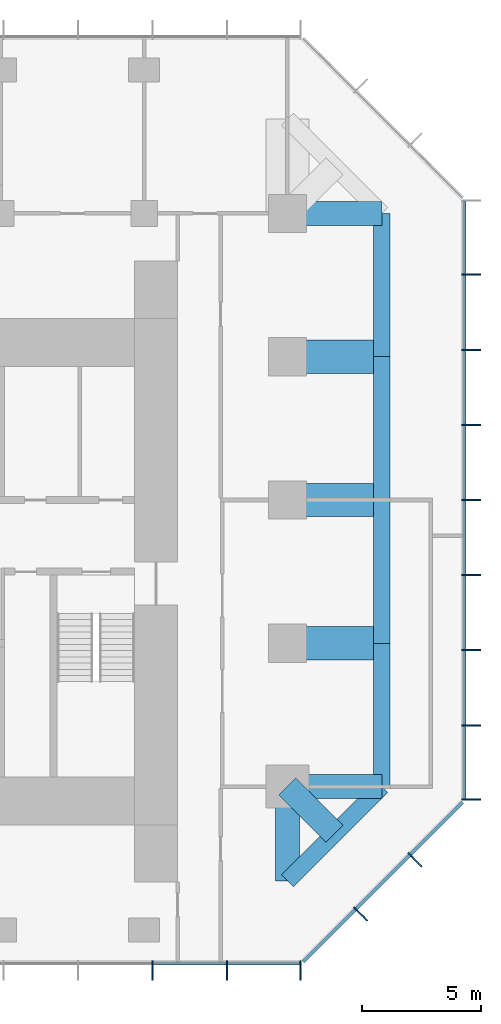
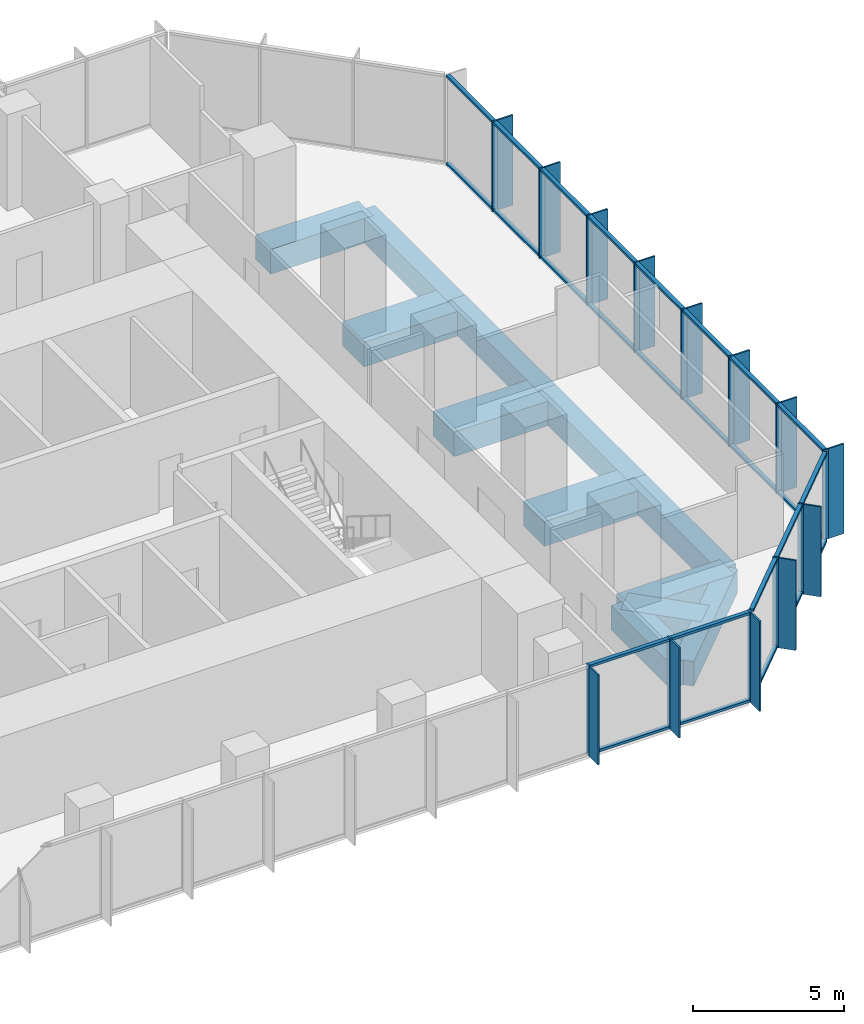
# One storey, part 4 of 10: 52 members, 12 beams, 3 elements without a shape of their own.
"""IFC4 building model written with IfcOpenShell, lengths in metres."""

from ifc_helpers import new_model, si_unit, direction, frame, origin, origin_2d, place, context, subcontext, project, spatial, rectangle, extrude, material, layer, layer_set, material_profile, profile_set, type_object, element, aggregate, save


model = new_model("IFC4")

# Units and contexts
model_context = context("Model", 3, precision=1e-05, world=origin(), true_north=direction((0.0, 1.0)))
body_context = subcontext(model_context, "Body", "Model", "MODEL_VIEW")
ifc_project = project(units=[si_unit("LENGTHUNIT", "METRE"), si_unit("AREAUNIT", "SQUARE_METRE"), si_unit("VOLUMEUNIT", "CUBIC_METRE"), si_unit("PLANEANGLEUNIT", "RADIAN"), si_unit("MASSUNIT", "GRAM", prefix="KILO")], contexts=[model_context])

# Site, building, storey
site_placement = place(None, origin())
site = spatial("IfcSite", under=ifc_project, at=site_placement, CompositionType="ELEMENT")
building_placement = place(site_placement, origin())
building = spatial("IfcBuilding", under=site, at=building_placement, Name="Highveld Stack Headquarters", CompositionType="ELEMENT")
storey_placement = place(building_placement, frame((0.0, 0.0, 245.0)))
storey = spatial("IfcBuildingStorey", under=building, at=storey_placement, Name="L60", CompositionType="ELEMENT", Elevation=245.0)

# Beams
ifc_material_1 = material(Name="Concrete C60/75", Category="concrete")
ifc_material_profile_1 = material_profile(ifc_material_1, rectangle(XDim=1.0, YDim=1.0, at=origin_2d()), Name="RC 1000x1000")
ifc_profile_set_1 = profile_set([ifc_material_profile_1], Name="Concrete C60/75")
beam_type_1 = type_object("IfcBeamType", Name="CANTILEVER RIB RC 1000x1000", PredefinedType="USERDEFINED", material=ifc_profile_set_1)
for number, where, z_axis, x_axis, name in (
    (1, (24.0, -6.0, -0.75), (1.0, 0.0, 0.0), (0.0, 1.0, 0.0), "Cantilever rib 10/D L60"),
    (2, (24.0, -6.0, -0.75), (0.0, -1.0, 0.0), (1.0, 0.0, 0.0), "Cantilever rib 10/D L60"),
):
    element("IfcBeam", number, at=place(storey_placement, frame(where, z_axis=z_axis, x_axis=x_axis)), inside=storey, type_object=beam_type_1, Name=name, ObjectType="CANTILEVER RIB", PredefinedType="USERDEFINED", context=body_context, shape_type="SweptSolid", body=[
        extrude(rectangle(XDim=1.0, YDim=1.0, at=origin_2d()), origin(), (0.0, 0.0, 1.0), 3.949951171875),
    ])
beam_1_placement = place(storey_placement, frame((24.0, -6.0, -0.75), z_axis=(0.707106781187, -0.707106781187, 0.0), x_axis=(0.707106781187, 0.707106781187, 0.0)))
element("IfcBeam", 3, at=beam_1_placement, inside=storey, type_object=beam_type_1, Name="Cantilever rib 10/D L60", ObjectType="CANTILEVER RIB", PredefinedType="USERDEFINED", context=body_context, shape_type="SweptSolid", body=[
    extrude(rectangle(XDim=1.0, YDim=1.0, at=origin_2d()), origin(), (0.0, 0.0, 1.0), 2.793212890625),
])
beam_2_placement = place(storey_placement, frame((24.0, 18.0, -0.75), z_axis=(1.0, 0.0, 0.0), x_axis=(0.0, 1.0, 0.0)))
element("IfcBeam", 4, at=beam_2_placement, inside=storey, type_object=beam_type_1, Name="Cantilever rib 10/H L60", ObjectType="CANTILEVER RIB", PredefinedType="USERDEFINED", context=body_context, shape_type="SweptSolid", body=[
    extrude(rectangle(XDim=1.0, YDim=1.0, at=origin_2d()), origin(), (0.0, 0.0, 1.0), 3.949951171875),
])
ifc_material_2 = material(Name="Concrete C60/75", Category="concrete")
ifc_material_profile_2 = material_profile(ifc_material_2, rectangle(XDim=1.39990234375, YDim=1.0, at=origin_2d()), Name="RC 1400x1000")
ifc_profile_set_2 = profile_set([ifc_material_profile_2], Name="Concrete C60/75")
beam_type_2 = type_object("IfcBeamType", Name="CANTILEVER RIB RC 1400x1000", PredefinedType="USERDEFINED", material=ifc_profile_set_2)
for number, where, z_axis, x_axis, name in (
    (5, (24.0, 0.0, -0.75), (1.0, 0.0, 0.0), (0.0, 1.0, 0.0), "Cantilever rib 10/E L60"),
    (6, (24.0, 6.0, -0.75), (1.0, 0.0, 0.0), (0.0, 1.0, 0.0), "Cantilever rib 10/F L60"),
    (7, (24.0, 12.0, -0.75), (1.0, 0.0, 0.0), (0.0, 1.0, 0.0), "Cantilever rib 10/G L60"),
):
    element("IfcBeam", number, at=place(storey_placement, frame(where, z_axis=z_axis, x_axis=x_axis)), inside=storey, type_object=beam_type_2, Name=name, ObjectType="CANTILEVER RIB", PredefinedType="USERDEFINED", context=body_context, shape_type="SweptSolid", body=[
        extrude(rectangle(XDim=1.39990234375, YDim=1.0, at=origin_2d()), origin(), (0.0, 0.0, 1.0), 3.949951171875),
    ])

# Curtain wall, members
ifc_material_3 = material(Name="Aluminium bronze anodised", Category="aluminium")
ifc_layer = layer(ifc_material_3, 0.199951171875)
ifc_layer_set = layer_set([ifc_layer], Name="Aluminium bronze anodised")
curtain_wall_type = type_object("IfcCurtainWallType", Name="CW6 SKY LOBBY UNITISED CURTAIN WALL", PredefinedType="NOTDEFINED", material=ifc_layer_set)
curtain_wall_1_placement = place(storey_placement, origin())
curtain_wall_1 = element("IfcCurtainWall", 8, at=curtain_wall_1_placement, inside=storey, type_object=curtain_wall_type, Name="Curtain wall CW6 L60 S", PredefinedType="NOTDEFINED")
ifc_material_4 = material(Name="Aluminium bronze anodised", Category="aluminium")
ifc_material_profile_3 = material_profile(ifc_material_4, rectangle(XDim=0.60009765625, YDim=0.06005859375, at=origin_2d()), Name="FIN 600x60")
ifc_profile_set_3 = profile_set([ifc_material_profile_3], Name="Aluminium bronze anodised")
member_type_1 = type_object("IfcMemberType", Name="CW6 BRONZE FIN 600x60", PredefinedType="USERDEFINED", material=ifc_profile_set_3)
member_1_placement = place(storey_placement, frame((18.347900390625, -13.800048828125, 0.0), z_axis=(0.0, 0.0, 1.0), x_axis=(0.0, 1.0, 0.0)))
member_1 = element("IfcMember", 9, at=member_1_placement, type_object=member_type_1, Name="CW6 fin L60 9", ObjectType="FIN", PredefinedType="USERDEFINED", context=body_context, shape_type="SweptSolid", body=[
    extrude(rectangle(XDim=0.60009765625, YDim=0.06005859375, at=origin_2d()), origin(), (0.0, 0.0, 1.0), 3.64990234375),
])
member_2_placement = place(storey_placement, frame((21.4638671875, -13.800048828125, 0.0), z_axis=(0.0, 0.0, 1.0), x_axis=(0.0, 1.0, 0.0)))
member_2 = element("IfcMember", 10, at=member_2_placement, type_object=member_type_1, Name="CW6 fin L60 10", ObjectType="FIN", PredefinedType="USERDEFINED", context=body_context, shape_type="SweptSolid", body=[
    extrude(rectangle(XDim=0.60009765625, YDim=0.06005859375, at=origin_2d()), origin(), (0.0, 0.0, 1.0), 3.64990234375),
])
member_3_placement = place(storey_placement, frame((24.54736328125, -13.800048828125, 0.0), z_axis=(0.0, 0.0, 1.0), x_axis=(0.0, 1.0, 0.0)))
member_3 = element("IfcMember", 11, at=member_3_placement, type_object=member_type_1, Name="CW6 fin L60 11", ObjectType="FIN", PredefinedType="USERDEFINED", context=body_context, shape_type="SweptSolid", body=[
    extrude(rectangle(XDim=0.60009765625, YDim=0.06005859375, at=origin_2d()), origin(), (0.0, 0.0, 1.0), 3.64990234375),
])

curtain_wall_2_placement = place(storey_placement, origin())
curtain_wall_2 = element("IfcCurtainWall", 12, at=curtain_wall_2_placement, inside=storey, type_object=curtain_wall_type, Name="Curtain wall CW6 L60 SE", PredefinedType="NOTDEFINED")
member_4_placement = place(storey_placement, frame((27.135986328125, -11.409423828125, 0.0), z_axis=(0.0, 0.0, 1.0), x_axis=(-0.707106781187, 0.707106781187, 0.0)))
member_4 = element("IfcMember", 13, at=member_4_placement, type_object=member_type_1, Name="CW6 fin L60 1", ObjectType="FIN", PredefinedType="USERDEFINED", context=body_context, shape_type="SweptSolid", body=[
    extrude(rectangle(XDim=0.60009765625, YDim=0.06005859375, at=origin_2d()), origin(), (0.0, 0.0, 1.0), 3.64990234375),
])
member_5_placement = place(storey_placement, frame((29.409423828125, -9.135986328125, 0.0), z_axis=(0.0, 0.0, 1.0), x_axis=(-0.707106781187, 0.707106781187, 0.0)))
member_5 = element("IfcMember", 14, at=member_5_placement, type_object=member_type_1, Name="CW6 fin L60 2", ObjectType="FIN", PredefinedType="USERDEFINED", context=body_context, shape_type="SweptSolid", body=[
    extrude(rectangle(XDim=0.60009765625, YDim=0.06005859375, at=origin_2d()), origin(), (0.0, 0.0, 1.0), 3.64990234375),
])

curtain_wall_3_placement = place(storey_placement, origin())
curtain_wall_3 = element("IfcCurtainWall", 15, at=curtain_wall_3_placement, inside=storey, type_object=curtain_wall_type, Name="Curtain wall CW6 L60 E", PredefinedType="NOTDEFINED")
member_6_placement = place(storey_placement, frame((31.800048828125, -6.54736328125, 0.0), z_axis=(0.0, 0.0, 1.0), x_axis=(-1.0, 0.0, 0.0)))
member_6 = element("IfcMember", 16, at=member_6_placement, type_object=member_type_1, Name="CW6 fin L60 1", ObjectType="FIN", PredefinedType="USERDEFINED", context=body_context, shape_type="SweptSolid", body=[
    extrude(rectangle(XDim=0.60009765625, YDim=0.06005859375, at=origin_2d()), origin(), (0.0, 0.0, 1.0), 3.64990234375),
])
member_7_placement = place(storey_placement, frame((31.800048828125, -3.434814453125, 0.0), z_axis=(0.0, 0.0, 1.0), x_axis=(-1.0, 0.0, 0.0)))
member_7 = element("IfcMember", 17, at=member_7_placement, type_object=member_type_1, Name="CW6 fin L60 2", ObjectType="FIN", PredefinedType="USERDEFINED", context=body_context, shape_type="SweptSolid", body=[
    extrude(rectangle(XDim=0.60009765625, YDim=0.06005859375, at=origin_2d()), origin(), (0.0, 0.0, 1.0), 3.64990234375),
])
member_8_placement = place(storey_placement, frame((31.800048828125, -0.2900390625, 0.0), z_axis=(0.0, 0.0, 1.0), x_axis=(-1.0, 0.0, 0.0)))
member_8 = element("IfcMember", 18, at=member_8_placement, type_object=member_type_1, Name="CW6 fin L60 3", ObjectType="FIN", PredefinedType="USERDEFINED", context=body_context, shape_type="SweptSolid", body=[
    extrude(rectangle(XDim=0.60009765625, YDim=0.06005859375, at=origin_2d()), origin(), (0.0, 0.0, 1.0), 3.64990234375),
])
member_9_placement = place(storey_placement, frame((31.800048828125, 2.85498046875, 0.0), z_axis=(0.0, 0.0, 1.0), x_axis=(-1.0, 0.0, 0.0)))
member_9 = element("IfcMember", 19, at=member_9_placement, type_object=member_type_1, Name="CW6 fin L60 4", ObjectType="FIN", PredefinedType="USERDEFINED", context=body_context, shape_type="SweptSolid", body=[
    extrude(rectangle(XDim=0.60009765625, YDim=0.06005859375, at=origin_2d()), origin(), (0.0, 0.0, 1.0), 3.64990234375),
])
member_10_placement = place(storey_placement, frame((31.800048828125, 6.0, 0.0), z_axis=(0.0, 0.0, 1.0), x_axis=(-1.0, 0.0, 0.0)))
member_10 = element("IfcMember", 20, at=member_10_placement, type_object=member_type_1, Name="CW6 fin L60 5", ObjectType="FIN", PredefinedType="USERDEFINED", context=body_context, shape_type="SweptSolid", body=[
    extrude(rectangle(XDim=0.60009765625, YDim=0.06005859375, at=origin_2d()), origin(), (0.0, 0.0, 1.0), 3.64990234375),
])
member_11_placement = place(storey_placement, frame((31.800048828125, 9.14501953125, 0.0), z_axis=(0.0, 0.0, 1.0), x_axis=(-1.0, 0.0, 0.0)))
member_11 = element("IfcMember", 21, at=member_11_placement, type_object=member_type_1, Name="CW6 fin L60 6", ObjectType="FIN", PredefinedType="USERDEFINED", context=body_context, shape_type="SweptSolid", body=[
    extrude(rectangle(XDim=0.60009765625, YDim=0.06005859375, at=origin_2d()), origin(), (0.0, 0.0, 1.0), 3.64990234375),
])
member_12_placement = place(storey_placement, frame((31.800048828125, 12.289794921875, 0.0), z_axis=(0.0, 0.0, 1.0), x_axis=(-1.0, 0.0, 0.0)))
member_12 = element("IfcMember", 22, at=member_12_placement, type_object=member_type_1, Name="CW6 fin L60 7", ObjectType="FIN", PredefinedType="USERDEFINED", context=body_context, shape_type="SweptSolid", body=[
    extrude(rectangle(XDim=0.60009765625, YDim=0.06005859375, at=origin_2d()), origin(), (0.0, 0.0, 1.0), 3.64990234375),
])
member_13_placement = place(storey_placement, frame((31.800048828125, 15.434814453125, 0.0), z_axis=(0.0, 0.0, 1.0), x_axis=(-1.0, 0.0, 0.0)))
member_13 = element("IfcMember", 23, at=member_13_placement, type_object=member_type_1, Name="CW6 fin L60 8", ObjectType="FIN", PredefinedType="USERDEFINED", context=body_context, shape_type="SweptSolid", body=[
    extrude(rectangle(XDim=0.60009765625, YDim=0.06005859375, at=origin_2d()), origin(), (0.0, 0.0, 1.0), 3.64990234375),
])

# Member
ifc_material_5 = material(Name="Aluminium bronze anodised", Category="aluminium")
ifc_material_profile_4 = material_profile(ifc_material_5, rectangle(XDim=0.199951171875, YDim=0.06494140625, at=origin_2d()), Name="CW6 MULLION 65x200")
ifc_profile_set_4 = profile_set([ifc_material_profile_4], Name="Aluminium bronze anodised")
member_type_2 = type_object("IfcMemberType", Name="CW6 MULLION 65x200", PredefinedType="MULLION", material=ifc_profile_set_4)
member_14_placement = place(storey_placement, frame((18.347900390625, -13.39990234375, 0.0), z_axis=(0.0, 0.0, 1.0), x_axis=(0.0, 1.0, 0.0)))
member_14 = element("IfcMember", 24, at=member_14_placement, type_object=member_type_2, Name="CW6 mullion L60 9", PredefinedType="MULLION", context=body_context, shape_type="SweptSolid", body=[
    extrude(rectangle(XDim=0.199951171875, YDim=0.06494140625, at=origin_2d()), origin(), (0.0, 0.0, 1.0), 3.64990234375),
])

member_15_placement = place(storey_placement, frame((21.4638671875, -13.39990234375, 0.0), z_axis=(0.0, 0.0, 1.0), x_axis=(0.0, 1.0, 0.0)))
member_15 = element("IfcMember", 25, at=member_15_placement, type_object=member_type_2, Name="CW6 mullion L60 10", PredefinedType="MULLION", context=body_context, shape_type="SweptSolid", body=[
    extrude(rectangle(XDim=0.199951171875, YDim=0.06494140625, at=origin_2d()), origin(), (0.0, 0.0, 1.0), 3.64990234375),
])

member_16_placement = place(storey_placement, frame((24.54736328125, -13.39990234375, 0.0), z_axis=(0.0, 0.0, 1.0), x_axis=(0.0, 1.0, 0.0)))
member_16 = element("IfcMember", 26, at=member_16_placement, type_object=member_type_2, Name="CW6 mullion L60 11", PredefinedType="MULLION", context=body_context, shape_type="SweptSolid", body=[
    extrude(rectangle(XDim=0.199951171875, YDim=0.06494140625, at=origin_2d()), origin(), (0.0, 0.0, 1.0), 3.64990234375),
])

member_17_placement = place(storey_placement, frame((26.853271484375, -11.126708984375, 0.0), z_axis=(0.0, 0.0, 1.0), x_axis=(-0.707106781187, 0.707106781187, 0.0)))
member_17 = element("IfcMember", 27, at=member_17_placement, type_object=member_type_2, Name="CW6 mullion L60 1", PredefinedType="MULLION", context=body_context, shape_type="SweptSolid", body=[
    extrude(rectangle(XDim=0.199951171875, YDim=0.06494140625, at=origin_2d()), origin(), (0.0, 0.0, 1.0), 3.64990234375),
])

member_18_placement = place(storey_placement, frame((29.126708984375, -8.853271484375, 0.0), z_axis=(0.0, 0.0, 1.0), x_axis=(-0.707106781187, 0.707106781187, 0.0)))
member_18 = element("IfcMember", 28, at=member_18_placement, type_object=member_type_2, Name="CW6 mullion L60 2", PredefinedType="MULLION", context=body_context, shape_type="SweptSolid", body=[
    extrude(rectangle(XDim=0.199951171875, YDim=0.06494140625, at=origin_2d()), origin(), (0.0, 0.0, 1.0), 3.64990234375),
])

member_19_placement = place(storey_placement, frame((31.39990234375, -6.54736328125, 0.0), z_axis=(0.0, 0.0, 1.0), x_axis=(-1.0, 0.0, 0.0)))
member_19 = element("IfcMember", 29, at=member_19_placement, type_object=member_type_2, Name="CW6 mullion L60 1", PredefinedType="MULLION", context=body_context, shape_type="SweptSolid", body=[
    extrude(rectangle(XDim=0.199951171875, YDim=0.06494140625, at=origin_2d()), origin(), (0.0, 0.0, 1.0), 3.64990234375),
])

member_20_placement = place(storey_placement, frame((31.39990234375, -3.434814453125, 0.0), z_axis=(0.0, 0.0, 1.0), x_axis=(-1.0, 0.0, 0.0)))
member_20 = element("IfcMember", 30, at=member_20_placement, type_object=member_type_2, Name="CW6 mullion L60 2", PredefinedType="MULLION", context=body_context, shape_type="SweptSolid", body=[
    extrude(rectangle(XDim=0.199951171875, YDim=0.06494140625, at=origin_2d()), origin(), (0.0, 0.0, 1.0), 3.64990234375),
])

member_21_placement = place(storey_placement, frame((31.39990234375, -0.2900390625, 0.0), z_axis=(0.0, 0.0, 1.0), x_axis=(-1.0, 0.0, 0.0)))
member_21 = element("IfcMember", 31, at=member_21_placement, type_object=member_type_2, Name="CW6 mullion L60 3", PredefinedType="MULLION", context=body_context, shape_type="SweptSolid", body=[
    extrude(rectangle(XDim=0.199951171875, YDim=0.06494140625, at=origin_2d()), origin(), (0.0, 0.0, 1.0), 3.64990234375),
])

member_22_placement = place(storey_placement, frame((31.39990234375, 2.85498046875, 0.0), z_axis=(0.0, 0.0, 1.0), x_axis=(-1.0, 0.0, 0.0)))
member_22 = element("IfcMember", 32, at=member_22_placement, type_object=member_type_2, Name="CW6 mullion L60 4", PredefinedType="MULLION", context=body_context, shape_type="SweptSolid", body=[
    extrude(rectangle(XDim=0.199951171875, YDim=0.06494140625, at=origin_2d()), origin(), (0.0, 0.0, 1.0), 3.64990234375),
])

member_23_placement = place(storey_placement, frame((31.39990234375, 6.0, 0.0), z_axis=(0.0, 0.0, 1.0), x_axis=(-1.0, 0.0, 0.0)))
member_23 = element("IfcMember", 33, at=member_23_placement, type_object=member_type_2, Name="CW6 mullion L60 5", PredefinedType="MULLION", context=body_context, shape_type="SweptSolid", body=[
    extrude(rectangle(XDim=0.199951171875, YDim=0.06494140625, at=origin_2d()), origin(), (0.0, 0.0, 1.0), 3.64990234375),
])

member_24_placement = place(storey_placement, frame((31.39990234375, 9.14501953125, 0.0), z_axis=(0.0, 0.0, 1.0), x_axis=(-1.0, 0.0, 0.0)))
member_24 = element("IfcMember", 34, at=member_24_placement, type_object=member_type_2, Name="CW6 mullion L60 6", PredefinedType="MULLION", context=body_context, shape_type="SweptSolid", body=[
    extrude(rectangle(XDim=0.199951171875, YDim=0.06494140625, at=origin_2d()), origin(), (0.0, 0.0, 1.0), 3.64990234375),
])

member_25_placement = place(storey_placement, frame((31.39990234375, 12.289794921875, 0.0), z_axis=(0.0, 0.0, 1.0), x_axis=(-1.0, 0.0, 0.0)))
member_25 = element("IfcMember", 35, at=member_25_placement, type_object=member_type_2, Name="CW6 mullion L60 7", PredefinedType="MULLION", context=body_context, shape_type="SweptSolid", body=[
    extrude(rectangle(XDim=0.199951171875, YDim=0.06494140625, at=origin_2d()), origin(), (0.0, 0.0, 1.0), 3.64990234375),
])

member_26_placement = place(storey_placement, frame((31.39990234375, 15.434814453125, 0.0), z_axis=(0.0, 0.0, 1.0), x_axis=(-1.0, 0.0, 0.0)))
member_26 = element("IfcMember", 36, at=member_26_placement, type_object=member_type_2, Name="CW6 mullion L60 8", PredefinedType="MULLION", context=body_context, shape_type="SweptSolid", body=[
    extrude(rectangle(XDim=0.199951171875, YDim=0.06494140625, at=origin_2d()), origin(), (0.0, 0.0, 1.0), 3.64990234375),
])

ifc_material_6 = material(Name="Aluminium bronze anodised", Category="aluminium")
ifc_material_profile_5 = material_profile(ifc_material_6, rectangle(XDim=0.14990234375, YDim=0.10009765625, at=origin_2d()), Name="CW6 TRANSOM 150x100")
ifc_profile_set_5 = profile_set([ifc_material_profile_5], Name="Aluminium bronze anodised")
member_type_3 = type_object("IfcMemberType", Name="CW6 STACK TRANSOM 150x100", PredefinedType="USERDEFINED", material=ifc_profile_set_5)
member_27_placement = place(storey_placement, frame((18.38037109375, -13.39990234375, 0.050048828125), z_axis=(1.0, 0.0, 0.0), x_axis=(0.0, 1.0, 0.0)))
member_27 = element("IfcMember", 37, at=member_27_placement, type_object=member_type_3, Name="CW6 transom L60 9.1", ObjectType="TRANSOM", PredefinedType="USERDEFINED", context=body_context, shape_type="SweptSolid", body=[
    extrude(rectangle(XDim=0.14990234375, YDim=0.10009765625, at=origin_2d()), origin(), (0.0, 0.0, 1.0), 3.051025390625),
])

member_28_placement = place(storey_placement, frame((18.38037109375, -13.39990234375, 3.60009765625), z_axis=(1.0, 0.0, 0.0), x_axis=(0.0, 1.0, 0.0)))
member_28 = element("IfcMember", 38, at=member_28_placement, type_object=member_type_3, Name="CW6 transom L60 9.2", ObjectType="TRANSOM", PredefinedType="USERDEFINED", context=body_context, shape_type="SweptSolid", body=[
    extrude(rectangle(XDim=0.14990234375, YDim=0.10009765625, at=origin_2d()), origin(), (0.0, 0.0, 1.0), 3.051025390625),
])

member_29_placement = place(storey_placement, frame((21.496337890625, -13.39990234375, 0.050048828125), z_axis=(1.0, 0.0, 0.0), x_axis=(0.0, 1.0, 0.0)))
member_29 = element("IfcMember", 39, at=member_29_placement, type_object=member_type_3, Name="CW6 transom L60 10.1", ObjectType="TRANSOM", PredefinedType="USERDEFINED", context=body_context, shape_type="SweptSolid", body=[
    extrude(rectangle(XDim=0.14990234375, YDim=0.10009765625, at=origin_2d()), origin(), (0.0, 0.0, 1.0), 3.0185546875),
])

member_30_placement = place(storey_placement, frame((21.496337890625, -13.39990234375, 3.60009765625), z_axis=(1.0, 0.0, 0.0), x_axis=(0.0, 1.0, 0.0)))
member_30 = element("IfcMember", 40, at=member_30_placement, type_object=member_type_3, Name="CW6 transom L60 10.2", ObjectType="TRANSOM", PredefinedType="USERDEFINED", context=body_context, shape_type="SweptSolid", body=[
    extrude(rectangle(XDim=0.14990234375, YDim=0.10009765625, at=origin_2d()), origin(), (0.0, 0.0, 1.0), 3.0185546875),
])

aggregate(curtain_wall_1, [member_14, member_1, member_15, member_2, member_16, member_3, member_27, member_28, member_29, member_30])

member_31_placement = place(storey_placement, frame((24.650634765625, -13.329345703125, 0.050048828125), z_axis=(0.707106781187, 0.707106781187, 0.0), x_axis=(-0.707106781187, 0.707106781187, 0.0)))
member_31 = element("IfcMember", 41, at=member_31_placement, type_object=member_type_3, Name="CW6 transom L60 1.1", ObjectType="TRANSOM", PredefinedType="USERDEFINED", context=body_context, shape_type="SweptSolid", body=[
    extrude(rectangle(XDim=0.14990234375, YDim=0.10009765625, at=origin_2d()), origin(), (0.0, 0.0, 1.0), 3.08251953125),
])

member_32_placement = place(storey_placement, frame((24.650634765625, -13.329345703125, 3.60009765625), z_axis=(0.707106781187, 0.707106781187, 0.0), x_axis=(-0.707106781187, 0.707106781187, 0.0)))
member_32 = element("IfcMember", 42, at=member_32_placement, type_object=member_type_3, Name="CW6 transom L60 1.2", ObjectType="TRANSOM", PredefinedType="USERDEFINED", context=body_context, shape_type="SweptSolid", body=[
    extrude(rectangle(XDim=0.14990234375, YDim=0.10009765625, at=origin_2d()), origin(), (0.0, 0.0, 1.0), 3.08251953125),
])

member_33_placement = place(storey_placement, frame((26.876220703125, -11.103759765625, 0.050048828125), z_axis=(0.707106781187, 0.707106781187, 0.0), x_axis=(-0.707106781187, 0.707106781187, 0.0)))
member_33 = element("IfcMember", 43, at=member_33_placement, type_object=member_type_3, Name="CW6 transom L60 2.1", ObjectType="TRANSOM", PredefinedType="USERDEFINED", context=body_context, shape_type="SweptSolid", body=[
    extrude(rectangle(XDim=0.14990234375, YDim=0.10009765625, at=origin_2d()), origin(), (0.0, 0.0, 1.0), 3.150146484375),
])

member_34_placement = place(storey_placement, frame((26.876220703125, -11.103759765625, 3.60009765625), z_axis=(0.707106781187, 0.707106781187, 0.0), x_axis=(-0.707106781187, 0.707106781187, 0.0)))
member_34 = element("IfcMember", 44, at=member_34_placement, type_object=member_type_3, Name="CW6 transom L60 2.2", ObjectType="TRANSOM", PredefinedType="USERDEFINED", context=body_context, shape_type="SweptSolid", body=[
    extrude(rectangle(XDim=0.14990234375, YDim=0.10009765625, at=origin_2d()), origin(), (0.0, 0.0, 1.0), 3.150146484375),
])

member_35_placement = place(storey_placement, frame((29.149658203125, -8.830322265625, 0.050048828125), z_axis=(0.707106781187, 0.707106781187, 0.0), x_axis=(-0.707106781187, 0.707106781187, 0.0)))
member_35 = element("IfcMember", 45, at=member_35_placement, type_object=member_type_3, Name="CW6 transom L60 3.1", ObjectType="TRANSOM", PredefinedType="USERDEFINED", context=body_context, shape_type="SweptSolid", body=[
    extrude(rectangle(XDim=0.14990234375, YDim=0.10009765625, at=origin_2d()), origin(), (0.0, 0.0, 1.0), 3.08251953125),
])

member_36_placement = place(storey_placement, frame((29.149658203125, -8.830322265625, 3.60009765625), z_axis=(0.707106781187, 0.707106781187, 0.0), x_axis=(-0.707106781187, 0.707106781187, 0.0)))
member_36 = element("IfcMember", 46, at=member_36_placement, type_object=member_type_3, Name="CW6 transom L60 3.2", ObjectType="TRANSOM", PredefinedType="USERDEFINED", context=body_context, shape_type="SweptSolid", body=[
    extrude(rectangle(XDim=0.14990234375, YDim=0.10009765625, at=origin_2d()), origin(), (0.0, 0.0, 1.0), 3.08251953125),
])

aggregate(curtain_wall_2, [member_17, member_4, member_18, member_5, member_31, member_32, member_33, member_34, member_35, member_36])

member_37_placement = place(storey_placement, frame((31.39990234375, -6.514892578125, 0.050048828125), z_axis=(0.0, 1.0, 0.0), x_axis=(-1.0, 0.0, 0.0)))
member_37 = element("IfcMember", 47, at=member_37_placement, type_object=member_type_3, Name="CW6 transom L60 1.1", ObjectType="TRANSOM", PredefinedType="USERDEFINED", context=body_context, shape_type="SweptSolid", body=[
    extrude(rectangle(XDim=0.14990234375, YDim=0.10009765625, at=origin_2d()), origin(), (0.0, 0.0, 1.0), 3.047607421875),
])

member_38_placement = place(storey_placement, frame((31.39990234375, -6.514892578125, 3.60009765625), z_axis=(0.0, 1.0, 0.0), x_axis=(-1.0, 0.0, 0.0)))
member_38 = element("IfcMember", 48, at=member_38_placement, type_object=member_type_3, Name="CW6 transom L60 1.2", ObjectType="TRANSOM", PredefinedType="USERDEFINED", context=body_context, shape_type="SweptSolid", body=[
    extrude(rectangle(XDim=0.14990234375, YDim=0.10009765625, at=origin_2d()), origin(), (0.0, 0.0, 1.0), 3.047607421875),
])

member_39_placement = place(storey_placement, frame((31.39990234375, -3.40234375, 0.050048828125), z_axis=(0.0, 1.0, 0.0), x_axis=(-1.0, 0.0, 0.0)))
member_39 = element("IfcMember", 49, at=member_39_placement, type_object=member_type_3, Name="CW6 transom L60 2.1", ObjectType="TRANSOM", PredefinedType="USERDEFINED", context=body_context, shape_type="SweptSolid", body=[
    extrude(rectangle(XDim=0.14990234375, YDim=0.10009765625, at=origin_2d()), origin(), (0.0, 0.0, 1.0), 3.079833984375),
])

member_40_placement = place(storey_placement, frame((31.39990234375, -3.40234375, 3.60009765625), z_axis=(0.0, 1.0, 0.0), x_axis=(-1.0, 0.0, 0.0)))
member_40 = element("IfcMember", 50, at=member_40_placement, type_object=member_type_3, Name="CW6 transom L60 2.2", ObjectType="TRANSOM", PredefinedType="USERDEFINED", context=body_context, shape_type="SweptSolid", body=[
    extrude(rectangle(XDim=0.14990234375, YDim=0.10009765625, at=origin_2d()), origin(), (0.0, 0.0, 1.0), 3.079833984375),
])

member_41_placement = place(storey_placement, frame((31.39990234375, -0.257568359375, 0.050048828125), z_axis=(0.0, 1.0, 0.0), x_axis=(-1.0, 0.0, 0.0)))
member_41 = element("IfcMember", 51, at=member_41_placement, type_object=member_type_3, Name="CW6 transom L60 3.1", ObjectType="TRANSOM", PredefinedType="USERDEFINED", context=body_context, shape_type="SweptSolid", body=[
    extrude(rectangle(XDim=0.14990234375, YDim=0.10009765625, at=origin_2d()), origin(), (0.0, 0.0, 1.0), 3.080078125),
])

member_42_placement = place(storey_placement, frame((31.39990234375, -0.257568359375, 3.60009765625), z_axis=(0.0, 1.0, 0.0), x_axis=(-1.0, 0.0, 0.0)))
member_42 = element("IfcMember", 52, at=member_42_placement, type_object=member_type_3, Name="CW6 transom L60 3.2", ObjectType="TRANSOM", PredefinedType="USERDEFINED", context=body_context, shape_type="SweptSolid", body=[
    extrude(rectangle(XDim=0.14990234375, YDim=0.10009765625, at=origin_2d()), origin(), (0.0, 0.0, 1.0), 3.080078125),
])

member_43_placement = place(storey_placement, frame((31.39990234375, 2.887451171875, 0.050048828125), z_axis=(0.0, 1.0, 0.0), x_axis=(-1.0, 0.0, 0.0)))
member_43 = element("IfcMember", 53, at=member_43_placement, type_object=member_type_3, Name="CW6 transom L60 4.1", ObjectType="TRANSOM", PredefinedType="USERDEFINED", context=body_context, shape_type="SweptSolid", body=[
    extrude(rectangle(XDim=0.14990234375, YDim=0.10009765625, at=origin_2d()), origin(), (0.0, 0.0, 1.0), 3.080078125),
])

member_44_placement = place(storey_placement, frame((31.39990234375, 2.887451171875, 3.60009765625), z_axis=(0.0, 1.0, 0.0), x_axis=(-1.0, 0.0, 0.0)))
member_44 = element("IfcMember", 54, at=member_44_placement, type_object=member_type_3, Name="CW6 transom L60 4.2", ObjectType="TRANSOM", PredefinedType="USERDEFINED", context=body_context, shape_type="SweptSolid", body=[
    extrude(rectangle(XDim=0.14990234375, YDim=0.10009765625, at=origin_2d()), origin(), (0.0, 0.0, 1.0), 3.080078125),
])

member_45_placement = place(storey_placement, frame((31.39990234375, 6.032470703125, 0.050048828125), z_axis=(0.0, 1.0, 0.0), x_axis=(-1.0, 0.0, 0.0)))
member_45 = element("IfcMember", 55, at=member_45_placement, type_object=member_type_3, Name="CW6 transom L60 5.1", ObjectType="TRANSOM", PredefinedType="USERDEFINED", context=body_context, shape_type="SweptSolid", body=[
    extrude(rectangle(XDim=0.14990234375, YDim=0.10009765625, at=origin_2d()), origin(), (0.0, 0.0, 1.0), 3.080078125),
])

member_46_placement = place(storey_placement, frame((31.39990234375, 6.032470703125, 3.60009765625), z_axis=(0.0, 1.0, 0.0), x_axis=(-1.0, 0.0, 0.0)))
member_46 = element("IfcMember", 56, at=member_46_placement, type_object=member_type_3, Name="CW6 transom L60 5.2", ObjectType="TRANSOM", PredefinedType="USERDEFINED", context=body_context, shape_type="SweptSolid", body=[
    extrude(rectangle(XDim=0.14990234375, YDim=0.10009765625, at=origin_2d()), origin(), (0.0, 0.0, 1.0), 3.080078125),
])

member_47_placement = place(storey_placement, frame((31.39990234375, 9.177490234375, 0.050048828125), z_axis=(0.0, 1.0, 0.0), x_axis=(-1.0, 0.0, 0.0)))
member_47 = element("IfcMember", 57, at=member_47_placement, type_object=member_type_3, Name="CW6 transom L60 6.1", ObjectType="TRANSOM", PredefinedType="USERDEFINED", context=body_context, shape_type="SweptSolid", body=[
    extrude(rectangle(XDim=0.14990234375, YDim=0.10009765625, at=origin_2d()), origin(), (0.0, 0.0, 1.0), 3.080078125),
])

member_48_placement = place(storey_placement, frame((31.39990234375, 9.177490234375, 3.60009765625), z_axis=(0.0, 1.0, 0.0), x_axis=(-1.0, 0.0, 0.0)))
member_48 = element("IfcMember", 58, at=member_48_placement, type_object=member_type_3, Name="CW6 transom L60 6.2", ObjectType="TRANSOM", PredefinedType="USERDEFINED", context=body_context, shape_type="SweptSolid", body=[
    extrude(rectangle(XDim=0.14990234375, YDim=0.10009765625, at=origin_2d()), origin(), (0.0, 0.0, 1.0), 3.080078125),
])

member_49_placement = place(storey_placement, frame((31.39990234375, 12.322509765625, 0.050048828125), z_axis=(0.0, 1.0, 0.0), x_axis=(-1.0, 0.0, 0.0)))
member_49 = element("IfcMember", 59, at=member_49_placement, type_object=member_type_3, Name="CW6 transom L60 7.1", ObjectType="TRANSOM", PredefinedType="USERDEFINED", context=body_context, shape_type="SweptSolid", body=[
    extrude(rectangle(XDim=0.14990234375, YDim=0.10009765625, at=origin_2d()), origin(), (0.0, 0.0, 1.0), 3.079833984375),
])

member_50_placement = place(storey_placement, frame((31.39990234375, 12.322509765625, 3.60009765625), z_axis=(0.0, 1.0, 0.0), x_axis=(-1.0, 0.0, 0.0)))
member_50 = element("IfcMember", 60, at=member_50_placement, type_object=member_type_3, Name="CW6 transom L60 7.2", ObjectType="TRANSOM", PredefinedType="USERDEFINED", context=body_context, shape_type="SweptSolid", body=[
    extrude(rectangle(XDim=0.14990234375, YDim=0.10009765625, at=origin_2d()), origin(), (0.0, 0.0, 1.0), 3.079833984375),
])

member_51_placement = place(storey_placement, frame((31.39990234375, 15.46728515625, 0.050048828125), z_axis=(0.0, 1.0, 0.0), x_axis=(-1.0, 0.0, 0.0)))
member_51 = element("IfcMember", 61, at=member_51_placement, type_object=member_type_3, Name="CW6 transom L60 8.1", ObjectType="TRANSOM", PredefinedType="USERDEFINED", context=body_context, shape_type="SweptSolid", body=[
    extrude(rectangle(XDim=0.14990234375, YDim=0.10009765625, at=origin_2d()), origin(), (0.0, 0.0, 1.0), 3.047607421875),
])

member_52_placement = place(storey_placement, frame((31.39990234375, 15.46728515625, 3.60009765625), z_axis=(0.0, 1.0, 0.0), x_axis=(-1.0, 0.0, 0.0)))
member_52 = element("IfcMember", 62, at=member_52_placement, type_object=member_type_3, Name="CW6 transom L60 8.2", ObjectType="TRANSOM", PredefinedType="USERDEFINED", context=body_context, shape_type="SweptSolid", body=[
    extrude(rectangle(XDim=0.14990234375, YDim=0.10009765625, at=origin_2d()), origin(), (0.0, 0.0, 1.0), 3.047607421875),
])

aggregate(curtain_wall_3, [member_19, member_6, member_20, member_7, member_21, member_8, member_22, member_9, member_23, member_10, member_24, member_11, member_25, member_12, member_26, member_13, member_37, member_38, member_39, member_40, member_41, member_42, member_43, member_44, member_45, member_46, member_47, member_48, member_49, member_50, member_51, member_52])

# Beams
ifc_material_7 = material(Name="Concrete C60/75", Category="concrete")
ifc_material_profile_6 = material_profile(ifc_material_7, rectangle(XDim=0.699951171875, YDim=1.0, at=origin_2d()), Name="RC 700x1000")
ifc_profile_set_6 = profile_set([ifc_material_profile_6], Name="Concrete C60/75")
beam_type_3 = type_object("IfcBeamType", Name="RIB TIP BEAM RC 700x1000", PredefinedType="SPANDREL", material=ifc_profile_set_6)
for number, where, z_axis, x_axis, name in (
    (63, (27.949951171875, -6.0, -0.75), (0.0, 1.0, 0.0), (-1.0, 0.0, 0.0), "Rib tip beam 10/D to 10/E L60"),
    (64, (27.949951171875, 0.0, -0.75), (0.0, 1.0, 0.0), (-1.0, 0.0, 0.0), "Rib tip beam 10/E to 10/F L60"),
    (65, (27.949951171875, 6.0, -0.75), (0.0, 1.0, 0.0), (-1.0, 0.0, 0.0), "Rib tip beam 10/F to 10/G L60"),
    (66, (27.949951171875, 12.0, -0.75), (0.0, 1.0, 0.0), (-1.0, 0.0, 0.0), "Rib tip beam 10/G to 10/H L60"),
):
    element("IfcBeam", number, at=place(storey_placement, frame(where, z_axis=z_axis, x_axis=x_axis)), inside=storey, type_object=beam_type_3, Name=name, PredefinedType="SPANDREL", context=body_context, shape_type="SweptSolid", body=[
        extrude(rectangle(XDim=0.699951171875, YDim=1.0, at=origin_2d()), origin(), (0.0, 0.0, 1.0), 6.0),
    ])
beam_3_placement = place(storey_placement, frame((27.949951171875, -6.0, -0.75), z_axis=(-0.707106781187, -0.707106781187, 0.0), x_axis=(0.707106781187, -0.707106781187, 0.0)))
element("IfcBeam", 67, at=beam_3_placement, inside=storey, type_object=beam_type_3, Name="Rib tip beam 10/D corner L60", PredefinedType="SPANDREL", context=body_context, shape_type="SweptSolid", body=[
    extrude(rectangle(XDim=0.699951171875, YDim=1.0, at=origin_2d()), origin(), (0.0, 0.0, 1.0), 5.586181640625),
])

save(model, "model.ifc")
